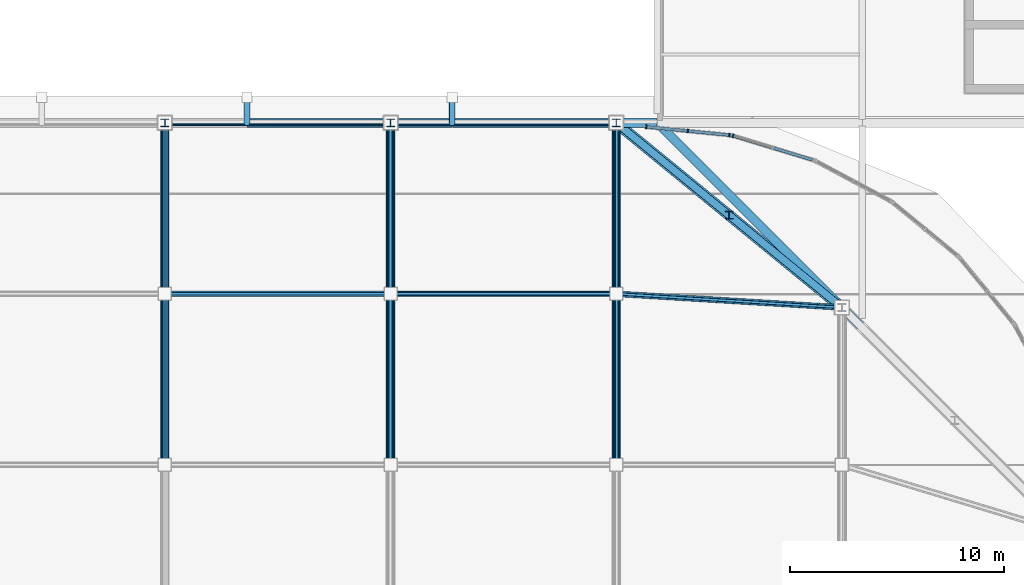
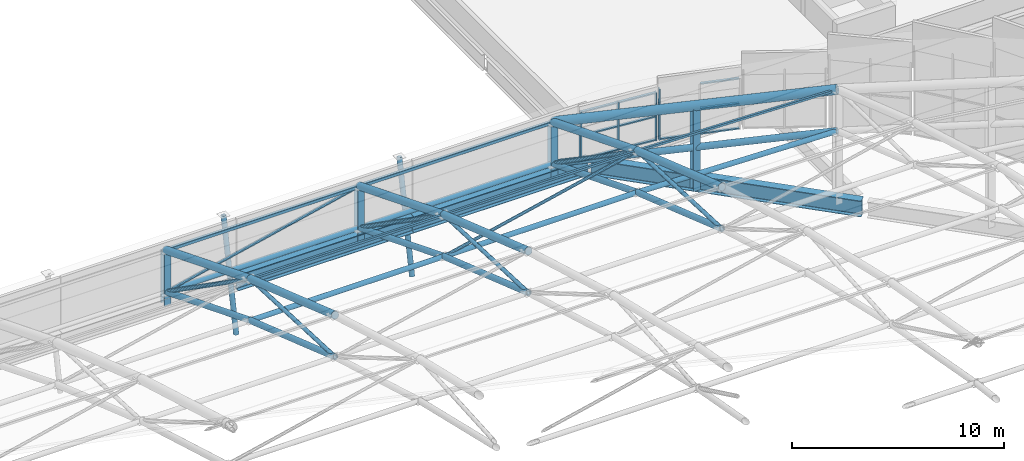
# One storey, part 28 of 42: 52 members, 3 beams, 2 elements without a shape of their own.
"""IFC4 building model written with IfcOpenShell, lengths in metres."""

from ifc_helpers import new_model, si_unit, direction, frame, origin, origin_2d, place, context, subcontext, project, spatial, rectangle, hollow_rectangle, hollow_circle, i_section, extrude, material, layer, layer_set, material_profile, profile_set, type_object, element, aggregate, save


model = new_model("IFC4")

# Units and contexts
model_context = context("Model", 3, precision=1e-05, world=origin(), true_north=direction((0.0, 1.0)))
body_context = subcontext(model_context, "Body", "Model", "MODEL_VIEW")
ifc_project = project(units=[si_unit("LENGTHUNIT", "METRE"), si_unit("AREAUNIT", "SQUARE_METRE"), si_unit("VOLUMEUNIT", "CUBIC_METRE"), si_unit("PLANEANGLEUNIT", "RADIAN"), si_unit("MASSUNIT", "GRAM", prefix="KILO")], contexts=[model_context])

# Site, building, storey
site_placement = place(None, origin())
site = spatial("IfcSite", under=ifc_project, at=site_placement, CompositionType="ELEMENT")
building_placement = place(site_placement, origin())
building = spatial("IfcBuilding", under=site, at=building_placement, Name="Caelomonte Colonnade Arena", CompositionType="ELEMENT")
storey_placement = place(building_placement, frame((0.0, 0.0, 28.199951171875)))
storey = spatial("IfcBuildingStorey", under=building, at=storey_placement, Name="RF", CompositionType="ELEMENT", Elevation=28.199951171875)

# Curtain wall, member
ifc_material_1 = material(Name="Bronze anodised aluminium and low-E glazing", Category="aluminium")
ifc_layer_1 = layer(ifc_material_1, 0.179931640625)
ifc_layer_set_1 = layer_set([ifc_layer_1], Name="Bronze anodised aluminium and low-E glazing")
curtain_wall_type_1 = type_object("IfcCurtainWallType", Name="ENV-CW-CW-TYMPC-02-29", PredefinedType="USERDEFINED", material=ifc_layer_set_1)
curtain_wall_1_placement = place(storey_placement, origin())
curtain_wall_1 = element("IfcCurtainWall", 1, at=curtain_wall_1_placement, inside=storey, type_object=curtain_wall_type_1, Name="Barrel arch rounded corner clerestory curtain wall 15", ObjectType="UNITIZED CURTAIN WALL", PredefinedType="USERDEFINED")
ifc_material_2 = material(Name="Bronze anodised aluminium AA6063-T6", Category="aluminium")
ifc_material_profile_1 = material_profile(ifc_material_2, rectangle(XDim=0.070068359375, YDim=0.179931640625, at=origin_2d()), Name="CWM-70X180")
ifc_profile_set_1 = profile_set([ifc_material_profile_1], Name="Bronze anodised aluminium AA6063-T6")
member_type_1 = type_object("IfcMemberType", Name="ENV-CW-MULL1", PredefinedType="MULLION", material=ifc_profile_set_1)
member_1_placement = place(storey_placement, frame((147.543212890625, 114.59521484375, -0.14990234375), z_axis=(0.0, 0.0, 1.0), x_axis=(-0.956945999811, 0.290266004632, 0.0)))
member_1 = element("IfcMember", 2, at=member_1_placement, type_object=member_type_1, Name="CW-TYMPC-02-29 mullion 3", PredefinedType="MULLION", context=body_context, shape_type="SweptSolid", body=[
    extrude(rectangle(XDim=0.070068359375, YDim=0.179931640625, at=origin_2d()), origin(), (0.0, 0.0, 1.0), 2.945556640625),
])

# Curtain wall, members
ifc_layer_2 = layer(ifc_material_1, 0.179931640625)
ifc_layer_set_2 = layer_set([ifc_layer_2], Name="Bronze anodised aluminium and low-E glazing")
curtain_wall_type_2 = type_object("IfcCurtainWallType", Name="ENV-CW-CW-TYMPC-01-28", PredefinedType="USERDEFINED", material=ifc_layer_set_2)
curtain_wall_2_placement = place(storey_placement, origin())
curtain_wall_2 = element("IfcCurtainWall", 3, at=curtain_wall_2_placement, inside=storey, type_object=curtain_wall_type_2, Name="Barrel arch rounded corner clerestory curtain wall 16", ObjectType="UNITIZED CURTAIN WALL", PredefinedType="USERDEFINED")
member_2_placement = place(storey_placement, frame((147.377197265625, 114.628173828125, -0.14990234375), z_axis=(0.0, 0.0, 1.0), x_axis=(-0.995183320356, 0.098031417843, 0.0)))
member_2 = element("IfcMember", 4, at=member_2_placement, type_object=member_type_1, Name="CW-TYMPC-01-28 mullion 1", PredefinedType="MULLION", context=body_context, shape_type="SweptSolid", body=[
    extrude(rectangle(XDim=0.070068359375, YDim=0.179931640625, at=origin_2d()), origin(), (0.0, 0.0, 1.0), 2.7763671875),
])
member_3_placement = place(storey_placement, frame((145.430908203125, 114.820068359375, -0.14990234375), z_axis=(0.0, 0.0, 1.0), x_axis=(-0.995183320356, 0.098031417843, 0.0)))
member_3 = element("IfcMember", 5, at=member_3_placement, type_object=member_type_1, Name="CW-TYMPC-01-28 mullion 2", PredefinedType="MULLION", context=body_context, shape_type="SweptSolid", body=[
    extrude(rectangle(XDim=0.070068359375, YDim=0.179931640625, at=origin_2d()), origin(), (0.0, 0.0, 1.0), 2.7763671875),
])
member_4_placement = place(storey_placement, frame((143.484619140625, 115.01171875, -0.14990234375), z_axis=(0.0, 0.0, 1.0), x_axis=(-0.995183320356, 0.098031417843, 0.0)))
member_4 = element("IfcMember", 6, at=member_4_placement, type_object=member_type_1, Name="CW-TYMPC-01-28 mullion 3", PredefinedType="MULLION", context=body_context, shape_type="SweptSolid", body=[
    extrude(rectangle(XDim=0.070068359375, YDim=0.179931640625, at=origin_2d()), origin(), (0.0, 0.0, 1.0), 2.7763671875),
])

# Member
ifc_material_profile_2 = material_profile(ifc_material_2, rectangle(XDim=0.070068359375, YDim=0.139892578125, at=origin_2d()), Name="CWT-70X140")
ifc_profile_set_2 = profile_set([ifc_material_profile_2], Name="Bronze anodised aluminium AA6063-T6")
member_type_2 = type_object("IfcMemberType", Name="ENV-CW-TRAN1", PredefinedType="USERDEFINED", material=ifc_profile_set_2)
member_5_placement = place(storey_placement, frame((151.252685546875, 113.469970703125, -0.114990234375), z_axis=(-0.956941606706, 0.290280487381, 0.0), x_axis=(0.0, 0.0, 1.0)))
member_5 = element("IfcMember", 7, at=member_5_placement, type_object=member_type_2, Name="CW-TYMPC-02-29 transom 1.1", ObjectType="TRANSOM", PredefinedType="USERDEFINED", context=body_context, shape_type="SweptSolid", body=[
    extrude(rectangle(XDim=0.070068359375, YDim=0.139892578125, at=origin_2d()), origin(), (0.0, 0.0, 1.0), 1.8857421875),
])

member_6_placement = place(storey_placement, frame((151.252685546875, 113.469970703125, 1.32275390625), z_axis=(-0.956941606706, 0.290280487381, 0.0), x_axis=(0.0, 0.0, 1.0)))
member_6 = element("IfcMember", 8, at=member_6_placement, type_object=member_type_2, Name="CW-TYMPC-02-29 transom 1.2", ObjectType="TRANSOM", PredefinedType="USERDEFINED", context=body_context, shape_type="SweptSolid", body=[
    extrude(rectangle(XDim=0.070068359375, YDim=0.139892578125, at=origin_2d()), origin(), (0.0, 0.0, 1.0), 1.8857421875),
])

member_7_placement = place(storey_placement, frame((151.252685546875, 113.469970703125, 2.760498046875), z_axis=(-0.956941606706, 0.290280487381, 0.0), x_axis=(0.0, 0.0, 1.0)))
member_7 = element("IfcMember", 9, at=member_7_placement, type_object=member_type_2, Name="CW-TYMPC-02-29 transom 1.3", ObjectType="TRANSOM", PredefinedType="USERDEFINED", context=body_context, shape_type="SweptSolid", body=[
    extrude(rectangle(XDim=0.070068359375, YDim=0.139892578125, at=origin_2d()), origin(), (0.0, 0.0, 1.0), 1.8857421875),
])

member_8_placement = place(storey_placement, frame((149.381103515625, 114.03759765625, -0.114990234375), z_axis=(-0.956941606706, 0.290280487381, 0.0), x_axis=(0.0, 0.0, 1.0)))
member_8 = element("IfcMember", 10, at=member_8_placement, type_object=member_type_2, Name="CW-TYMPC-02-29 transom 2.1", ObjectType="TRANSOM", PredefinedType="USERDEFINED", context=body_context, shape_type="SweptSolid", body=[
    extrude(rectangle(XDim=0.070068359375, YDim=0.139892578125, at=origin_2d()), origin(), (0.0, 0.0, 1.0), 1.8857421875),
])

aggregate(curtain_wall_1, [member_1, member_5, member_6, member_7, member_8])

member_9_placement = place(storey_placement, frame((147.34228515625, 114.631591796875, -0.114990234375), z_axis=(-0.995184788891, 0.098016508612, 0.0), x_axis=(0.0, 0.0, 1.0)))
member_9 = element("IfcMember", 11, at=member_9_placement, type_object=member_type_2, Name="CW-TYMPC-01-28 transom 1.1", ObjectType="TRANSOM", PredefinedType="USERDEFINED", context=body_context, shape_type="SweptSolid", body=[
    extrude(rectangle(XDim=0.070068359375, YDim=0.139892578125, at=origin_2d()), origin(), (0.0, 0.0, 1.0), 1.885498046875),
])

member_10_placement = place(storey_placement, frame((147.34228515625, 114.631591796875, 1.23828125), z_axis=(-0.995184788891, 0.098016508612, 0.0), x_axis=(0.0, 0.0, 1.0)))
member_10 = element("IfcMember", 12, at=member_10_placement, type_object=member_type_2, Name="CW-TYMPC-01-28 transom 1.2", ObjectType="TRANSOM", PredefinedType="USERDEFINED", context=body_context, shape_type="SweptSolid", body=[
    extrude(rectangle(XDim=0.070068359375, YDim=0.139892578125, at=origin_2d()), origin(), (0.0, 0.0, 1.0), 1.885498046875),
])

member_11_placement = place(storey_placement, frame((147.34228515625, 114.631591796875, 2.591552734375), z_axis=(-0.995184788891, 0.098016508612, 0.0), x_axis=(0.0, 0.0, 1.0)))
member_11 = element("IfcMember", 13, at=member_11_placement, type_object=member_type_2, Name="CW-TYMPC-01-28 transom 1.3", ObjectType="TRANSOM", PredefinedType="USERDEFINED", context=body_context, shape_type="SweptSolid", body=[
    extrude(rectangle(XDim=0.070068359375, YDim=0.139892578125, at=origin_2d()), origin(), (0.0, 0.0, 1.0), 1.885498046875),
])

member_12_placement = place(storey_placement, frame((145.39599609375, 114.823486328125, -0.114990234375), z_axis=(-0.995184788891, 0.098016508612, 0.0), x_axis=(0.0, 0.0, 1.0)))
member_12 = element("IfcMember", 14, at=member_12_placement, type_object=member_type_2, Name="CW-TYMPC-01-28 transom 2.1", ObjectType="TRANSOM", PredefinedType="USERDEFINED", context=body_context, shape_type="SweptSolid", body=[
    extrude(rectangle(XDim=0.070068359375, YDim=0.139892578125, at=origin_2d()), origin(), (0.0, 0.0, 1.0), 1.885498046875),
])

member_13_placement = place(storey_placement, frame((145.39599609375, 114.823486328125, 1.23828125), z_axis=(-0.995184788891, 0.098016508612, 0.0), x_axis=(0.0, 0.0, 1.0)))
member_13 = element("IfcMember", 15, at=member_13_placement, type_object=member_type_2, Name="CW-TYMPC-01-28 transom 2.2", ObjectType="TRANSOM", PredefinedType="USERDEFINED", context=body_context, shape_type="SweptSolid", body=[
    extrude(rectangle(XDim=0.070068359375, YDim=0.139892578125, at=origin_2d()), origin(), (0.0, 0.0, 1.0), 1.885498046875),
])

member_14_placement = place(storey_placement, frame((145.39599609375, 114.823486328125, 2.591552734375), z_axis=(-0.995184788891, 0.098016508612, 0.0), x_axis=(0.0, 0.0, 1.0)))
member_14 = element("IfcMember", 16, at=member_14_placement, type_object=member_type_2, Name="CW-TYMPC-01-28 transom 2.3", ObjectType="TRANSOM", PredefinedType="USERDEFINED", context=body_context, shape_type="SweptSolid", body=[
    extrude(rectangle(XDim=0.070068359375, YDim=0.139892578125, at=origin_2d()), origin(), (0.0, 0.0, 1.0), 1.885498046875),
])

aggregate(curtain_wall_2, [member_2, member_3, member_4, member_9, member_10, member_11, member_12, member_13, member_14])

# Beams
ifc_material_3 = material(Name="Wide-flange steel ASTM A992 Grade 50", Category="steel")
ifc_material_profile_3 = material_profile(ifc_material_3, i_section(OverallWidth=0.418212890625, OverallDepth=0.927001953125, WebThickness=0.019287109375, FlangeThickness=0.031982421875, FilletRadius=0.024169921875, at=origin_2d()), Name="W36X231")
ifc_profile_set_3 = profile_set([ifc_material_profile_3], Name="Wide-flange steel ASTM A992 Grade 50")
beam_type = type_object("IfcBeamType", Name="STR-BM-EAVES1", PredefinedType="SPANDREL", material=ifc_profile_set_3)
for number, where, z_axis, x_axis, name in (
    (17, (124.808349609375, 115.199951171875, -0.743408203125), (1.0, 0.0, 0.0), (0.0, 1.0, 0.0), "RF girder BMX-RF-1248-1152"),
    (18, (134.408203125, 115.199951171875, -0.743408203125), (1.0, 0.0, 0.0), (0.0, 1.0, 0.0), "RF girder BMX-RF-1344-1152"),
):
    element("IfcBeam", number, at=place(storey_placement, frame(where, z_axis=z_axis, x_axis=x_axis)), inside=storey, type_object=beam_type, Name=name, PredefinedType="SPANDREL", context=body_context, shape_type="SweptSolid", body=[
        extrude(i_section(OverallWidth=0.418212890625, OverallDepth=0.927001953125, WebThickness=0.019287109375, FlangeThickness=0.031982421875, FilletRadius=0.024169921875, at=origin_2d()), origin(), (0.0, 0.0, 1.0), 9.58349609375),
    ])
beam_placement = place(storey_placement, frame((153.497802734375, 105.7021484375, -0.743408203125), z_axis=(-0.707106781187, 0.707106781187, 0.0), x_axis=(-0.707106781187, -0.707106781187, 0.0)))
element("IfcBeam", 19, at=beam_placement, inside=storey, type_object=beam_type, Name="RF drum corner ring girder 6", PredefinedType="SPANDREL", context=body_context, shape_type="SweptSolid", body=[
    extrude(i_section(OverallWidth=0.418212890625, OverallDepth=0.927001953125, WebThickness=0.019287109375, FlangeThickness=0.031982421875, FilletRadius=0.024169921875, at=origin_2d()), origin(), (0.0, 0.0, 1.0), 13.28759765625),
])

# Members
ifc_material_profile_4 = material_profile(ifc_material_3, i_section(OverallWidth=0.368896484375, OverallDepth=0.356201171875, WebThickness=0.01123046875, FlangeThickness=0.01806640625, FilletRadius=0.01513671875, at=origin_2d()), Name="W14X90")
ifc_profile_set_4 = profile_set([ifc_material_profile_4], Name="Wide-flange steel ASTM A992 Grade 50")
member_type_3 = type_object("IfcMemberType", Name="STR-CAT-STR", PredefinedType="STRUT", material=ifc_profile_set_4)
for number, where, z_axis, x_axis, name in (
    (20, (120.9599609375, 115.199951171875, -0.699951171875), (0.0, 0.0, 1.0), (1.0, 0.0, 0.0), "Roof truss eaves bearing post 6-12"),
    (21, (131.52001953125, 115.199951171875, -0.699951171875), (0.0, 0.0, 1.0), (1.0, 0.0, 0.0), "Roof truss eaves bearing post 7-12"),
    (22, (142.080078125, 115.199951171875, -0.699951171875), (0.0, 0.0, 1.0), (1.0, 0.0, 0.0), "Roof truss eaves bearing post 8-12"),
):
    element("IfcMember", number, at=place(storey_placement, frame(where, z_axis=z_axis, x_axis=x_axis)), inside=storey, type_object=member_type_3, Name=name, PredefinedType="STRUT", context=body_context, shape_type="SweptSolid", body=[
        extrude(i_section(OverallWidth=0.368896484375, OverallDepth=0.356201171875, WebThickness=0.01123046875, FlangeThickness=0.01806640625, FilletRadius=0.01513671875, at=origin_2d()), origin(), (0.0, 0.0, 1.0), 3.10009765625),
    ])
member_15_placement = place(storey_placement, frame((147.360107421875, 110.8798828125, -0.699951171875), z_axis=(0.0, 0.0, 1.0), x_axis=(1.0, 0.0, 0.0)))
element("IfcMember", 23, at=member_15_placement, inside=storey, type_object=member_type_3, Name="Rounded corner roof Vierendeel post NE-2", PredefinedType="STRUT", context=body_context, shape_type="SweptSolid", body=[
    extrude(i_section(OverallWidth=0.368896484375, OverallDepth=0.356201171875, WebThickness=0.01123046875, FlangeThickness=0.01806640625, FilletRadius=0.01513671875, at=origin_2d()), origin(), (0.0, 0.0, 1.0), 4.810546875),
])
ifc_material_4 = material(Name="Steel ASTM A500 Grade C", Category="steel")
ifc_material_profile_5 = material_profile(ifc_material_4, hollow_circle(Radius=0.177734375, WallThickness=0.0126953125, at=origin_2d()), Name="CHS355.6X12.7")
ifc_profile_set_5 = profile_set([ifc_material_profile_5], Name="Steel ASTM A500 Grade C")
member_type_4 = type_object("IfcMemberType", Name="STR-SF-BC1", PredefinedType="CHORD", material=ifc_profile_set_5)
member_16_placement = place(storey_placement, frame((152.638427734375, 106.561279296875, 3.420654296875), z_axis=(-0.750717484675, 0.614223396552, -0.243213645448), x_axis=(-0.633237790257, -0.773957299203, 0.0)))
element("IfcMember", 24, at=member_16_placement, inside=storey, type_object=member_type_4, Name="Rounded corner roof bottom chord NE-2", PredefinedType="CHORD", context=body_context, shape_type="SweptSolid", body=[
    extrude(hollow_circle(Radius=0.177734375, WallThickness=0.0126953125, at=origin_2d()), origin(), (0.0, 0.0, 1.0), 14.0625),
])
ifc_material_profile_6 = material_profile(ifc_material_4, hollow_circle(Radius=0.161865234375, WallThickness=0.010009765625, at=origin_2d()), Name="CHS323.9X10.0")
ifc_profile_set_6 = profile_set([ifc_material_profile_6], Name="Steel ASTM A500 Grade C")
member_type_5 = type_object("IfcMemberType", Name="STR-SF-BC2", PredefinedType="CHORD", material=ifc_profile_set_6)
member_17_placement = place(storey_placement, frame((120.9599609375, 99.201904296875, 5.935302734375), z_axis=(0.0, 0.945655527912, -0.325170143971), x_axis=(-1.0, 0.0, 0.0)))
element("IfcMember", 25, at=member_17_placement, inside=storey, type_object=member_type_5, Name="Arched roof truss bottom chord 6-10", PredefinedType="CHORD", context=body_context, shape_type="SweptSolid", body=[
    extrude(hollow_circle(Radius=0.161865234375, WallThickness=0.010009765625, at=origin_2d()), origin(), (0.0, 0.0, 1.0), 8.45556640625),
])
member_18_placement = place(storey_placement, frame((120.9599609375, 107.201904296875, 3.184326171875), z_axis=(0.0, 0.929070225575, -0.36990338732), x_axis=(-1.0, 0.0, 0.0)))
element("IfcMember", 26, at=member_18_placement, inside=storey, type_object=member_type_5, Name="Arched roof truss bottom chord 6-11", PredefinedType="CHORD", context=body_context, shape_type="SweptSolid", body=[
    extrude(hollow_circle(Radius=0.161865234375, WallThickness=0.010009765625, at=origin_2d()), origin(), (0.0, 0.0, 1.0), 8.6064453125),
])
member_19_placement = place(storey_placement, frame((131.52001953125, 99.201904296875, 5.935302734375), z_axis=(0.0, 0.945655527912, -0.325170143971), x_axis=(-1.0, 0.0, 0.0)))
element("IfcMember", 27, at=member_19_placement, inside=storey, type_object=member_type_5, Name="Arched roof truss bottom chord 7-10", PredefinedType="CHORD", context=body_context, shape_type="SweptSolid", body=[
    extrude(hollow_circle(Radius=0.161865234375, WallThickness=0.010009765625, at=origin_2d()), origin(), (0.0, 0.0, 1.0), 8.45556640625),
])
member_20_placement = place(storey_placement, frame((131.52001953125, 107.201904296875, 3.184326171875), z_axis=(0.0, 0.929070225575, -0.36990338732), x_axis=(-1.0, 0.0, 0.0)))
element("IfcMember", 28, at=member_20_placement, inside=storey, type_object=member_type_5, Name="Arched roof truss bottom chord 7-11", PredefinedType="CHORD", context=body_context, shape_type="SweptSolid", body=[
    extrude(hollow_circle(Radius=0.161865234375, WallThickness=0.010009765625, at=origin_2d()), origin(), (0.0, 0.0, 1.0), 8.6064453125),
])
member_21_placement = place(storey_placement, frame((142.080078125, 99.201904296875, 5.935302734375), z_axis=(0.0, 0.945655527912, -0.325170143971), x_axis=(-1.0, 0.0, 0.0)))
element("IfcMember", 29, at=member_21_placement, inside=storey, type_object=member_type_5, Name="Arched roof truss bottom chord 8-10", PredefinedType="CHORD", context=body_context, shape_type="SweptSolid", body=[
    extrude(hollow_circle(Radius=0.161865234375, WallThickness=0.010009765625, at=origin_2d()), origin(), (0.0, 0.0, 1.0), 8.45556640625),
])
member_22_placement = place(storey_placement, frame((142.080078125, 107.201904296875, 3.184326171875), z_axis=(0.0, 0.929070225575, -0.36990338732), x_axis=(-1.0, 0.0, 0.0)))
element("IfcMember", 30, at=member_22_placement, inside=storey, type_object=member_type_5, Name="Arched roof truss bottom chord 8-11", PredefinedType="CHORD", context=body_context, shape_type="SweptSolid", body=[
    extrude(hollow_circle(Radius=0.161865234375, WallThickness=0.010009765625, at=origin_2d()), origin(), (0.0, 0.0, 1.0), 8.6064453125),
])
ifc_material_profile_7 = material_profile(ifc_material_4, hollow_rectangle(XDim=0.177734375, YDim=0.177734375, WallThickness=0.008056640625, InnerFilletRadius=0.008056640625, OuterFilletRadius=0.01611328125, at=origin_2d()), Name="HSS178X178X8.0")
ifc_profile_set_7 = profile_set([ifc_material_profile_7], Name="Steel ASTM A500 Grade C")
member_type_6 = type_object("IfcMemberType", Name="STR-SF-PUR1", PredefinedType="PURLIN", material=ifc_profile_set_7)
member_23_placement = place(storey_placement, frame((120.9619140625, 115.199951171875, 2.400146484375), z_axis=(1.0, 0.0, 0.0), x_axis=(0.0, 1.0, 0.0)))
element("IfcMember", 31, at=member_23_placement, inside=storey, type_object=member_type_6, Name="Arched roof purlin 6-12", PredefinedType="PURLIN", context=body_context, shape_type="SweptSolid", body=[
    extrude(hollow_rectangle(XDim=0.177734375, YDim=0.177734375, WallThickness=0.008056640625, InnerFilletRadius=0.008056640625, OuterFilletRadius=0.01611328125, at=origin_2d()), origin(), (0.0, 0.0, 1.0), 10.55615234375),
])
member_24_placement = place(storey_placement, frame((131.52197265625, 115.199951171875, 2.400146484375), z_axis=(1.0, 0.0, 0.0), x_axis=(0.0, 1.0, 0.0)))
element("IfcMember", 32, at=member_24_placement, inside=storey, type_object=member_type_6, Name="Arched roof purlin 7-12", PredefinedType="PURLIN", context=body_context, shape_type="SweptSolid", body=[
    extrude(hollow_rectangle(XDim=0.177734375, YDim=0.177734375, WallThickness=0.008056640625, InnerFilletRadius=0.008056640625, OuterFilletRadius=0.01611328125, at=origin_2d()), origin(), (0.0, 0.0, 1.0), 10.555908203125),
])
ifc_material_profile_8 = material_profile(ifc_material_4, hollow_rectangle(XDim=0.126953125, YDim=0.126953125, WallThickness=0.00634765625, InnerFilletRadius=0.00634765625, OuterFilletRadius=0.0126953125, at=origin_2d()), Name="HSS127X127X6.4")
ifc_profile_set_8 = profile_set([ifc_material_profile_8], Name="Steel ASTM A500 Grade C")
member_type_7 = type_object("IfcMemberType", Name="STR-SF-PUR3", PredefinedType="PURLIN", material=ifc_profile_set_8)
member_25_placement = place(storey_placement, frame((120.9619140625, 107.199951171875, 5.5849609375), z_axis=(1.0, 0.0, 0.0), x_axis=(0.0, 1.0, 0.0)))
element("IfcMember", 33, at=member_25_placement, inside=storey, type_object=member_type_7, Name="Arched roof purlin 6-11", PredefinedType="PURLIN", context=body_context, shape_type="SweptSolid", body=[
    extrude(hollow_rectangle(XDim=0.126953125, YDim=0.126953125, WallThickness=0.00634765625, InnerFilletRadius=0.00634765625, OuterFilletRadius=0.0126953125, at=origin_2d()), origin(), (0.0, 0.0, 1.0), 10.55615234375),
])
member_26_placement = place(storey_placement, frame((131.52197265625, 107.199951171875, 5.5849609375), z_axis=(1.0, 0.0, 0.0), x_axis=(0.0, 1.0, 0.0)))
element("IfcMember", 34, at=member_26_placement, inside=storey, type_object=member_type_7, Name="Arched roof purlin 7-11", PredefinedType="PURLIN", context=body_context, shape_type="SweptSolid", body=[
    extrude(hollow_rectangle(XDim=0.126953125, YDim=0.126953125, WallThickness=0.00634765625, InnerFilletRadius=0.00634765625, OuterFilletRadius=0.0126953125, at=origin_2d()), origin(), (0.0, 0.0, 1.0), 10.555908203125),
])
member_27_placement = place(storey_placement, frame((142.08203125, 107.199951171875, 5.5849609375), z_axis=(0.997919060168, -0.060493231647, 0.022318563526), x_axis=(0.06050830367, 0.998167693921, 0.0)))
element("IfcMember", 35, at=member_27_placement, inside=storey, type_object=member_type_7, Name="Arched roof purlin 8-11", PredefinedType="PURLIN", context=body_context, shape_type="SweptSolid", body=[
    extrude(hollow_rectangle(XDim=0.126953125, YDim=0.126953125, WallThickness=0.00634765625, InnerFilletRadius=0.00634765625, OuterFilletRadius=0.0126953125, at=origin_2d()), origin(), (0.0, 0.0, 1.0), 10.577880859375),
])
ifc_material_profile_9 = material_profile(ifc_material_4, hollow_circle(Radius=0.25390625, WallThickness=0.015869140625, at=origin_2d()), Name="CHS508X15.9")
ifc_profile_set_9 = profile_set([ifc_material_profile_9], Name="Steel ASTM A500 Grade C")
member_type_8 = type_object("IfcMemberType", Name="STR-SF-TC1", PredefinedType="CHORD", material=ifc_profile_set_9)
member_28_placement = place(storey_placement, frame((152.638427734375, 106.561279296875, 5.820556640625), z_axis=(-0.750720654479, 0.614225990029, -0.243197311069), x_axis=(-0.633237790257, -0.773957299203, 0.0)))
element("IfcMember", 36, at=member_28_placement, inside=storey, type_object=member_type_8, Name="Rounded corner roof top chord NE-2", PredefinedType="CHORD", context=body_context, shape_type="SweptSolid", body=[
    extrude(hollow_circle(Radius=0.25390625, WallThickness=0.015869140625, at=origin_2d()), origin(), (0.0, 0.0, 1.0), 14.062255859375),
])
ifc_material_profile_10 = material_profile(ifc_material_4, hollow_circle(Radius=0.203125, WallThickness=0.0126953125, at=origin_2d()), Name="CHS406.4X12.7")
ifc_profile_set_10 = profile_set([ifc_material_profile_10], Name="Steel ASTM A500 Grade C")
member_type_9 = type_object("IfcMemberType", Name="STR-SF-TC2", PredefinedType="CHORD", material=ifc_profile_set_10)
member_29_placement = place(storey_placement, frame((120.9599609375, 99.201904296875, 8.33544921875), z_axis=(0.0, 0.945646649159, -0.325195963895), x_axis=(-1.0, 0.0, 0.0)))
element("IfcMember", 37, at=member_29_placement, inside=storey, type_object=member_type_9, Name="Arched roof truss top chord 6-10", PredefinedType="CHORD", context=body_context, shape_type="SweptSolid", body=[
    extrude(hollow_circle(Radius=0.203125, WallThickness=0.0126953125, at=origin_2d()), origin(), (0.0, 0.0, 1.0), 8.455810546875),
])
member_30_placement = place(storey_placement, frame((120.9599609375, 107.201904296875, 5.584228515625), z_axis=(0.0, 0.929070225575, -0.36990338732), x_axis=(-1.0, 0.0, 0.0)))
element("IfcMember", 38, at=member_30_placement, inside=storey, type_object=member_type_9, Name="Arched roof truss top chord 6-11", PredefinedType="CHORD", context=body_context, shape_type="SweptSolid", body=[
    extrude(hollow_circle(Radius=0.203125, WallThickness=0.0126953125, at=origin_2d()), origin(), (0.0, 0.0, 1.0), 8.6064453125),
])
member_31_placement = place(storey_placement, frame((131.52001953125, 99.201904296875, 8.33544921875), z_axis=(0.0, 0.945646649159, -0.325195963895), x_axis=(-1.0, 0.0, 0.0)))
element("IfcMember", 39, at=member_31_placement, inside=storey, type_object=member_type_9, Name="Arched roof truss top chord 7-10", PredefinedType="CHORD", context=body_context, shape_type="SweptSolid", body=[
    extrude(hollow_circle(Radius=0.203125, WallThickness=0.0126953125, at=origin_2d()), origin(), (0.0, 0.0, 1.0), 8.455810546875),
])
member_32_placement = place(storey_placement, frame((131.52001953125, 107.201904296875, 5.584228515625), z_axis=(0.0, 0.929070225575, -0.36990338732), x_axis=(-1.0, 0.0, 0.0)))
element("IfcMember", 40, at=member_32_placement, inside=storey, type_object=member_type_9, Name="Arched roof truss top chord 7-11", PredefinedType="CHORD", context=body_context, shape_type="SweptSolid", body=[
    extrude(hollow_circle(Radius=0.203125, WallThickness=0.0126953125, at=origin_2d()), origin(), (0.0, 0.0, 1.0), 8.6064453125),
])
member_33_placement = place(storey_placement, frame((142.080078125, 99.201904296875, 8.33544921875), z_axis=(0.0, 0.945646649159, -0.325195963895), x_axis=(-1.0, 0.0, 0.0)))
element("IfcMember", 41, at=member_33_placement, inside=storey, type_object=member_type_9, Name="Arched roof truss top chord 8-10", PredefinedType="CHORD", context=body_context, shape_type="SweptSolid", body=[
    extrude(hollow_circle(Radius=0.203125, WallThickness=0.0126953125, at=origin_2d()), origin(), (0.0, 0.0, 1.0), 8.455810546875),
])
member_34_placement = place(storey_placement, frame((142.080078125, 107.201904296875, 5.584228515625), z_axis=(0.0, 0.929070225575, -0.36990338732), x_axis=(-1.0, 0.0, 0.0)))
element("IfcMember", 42, at=member_34_placement, inside=storey, type_object=member_type_9, Name="Arched roof truss top chord 8-11", PredefinedType="CHORD", context=body_context, shape_type="SweptSolid", body=[
    extrude(hollow_circle(Radius=0.203125, WallThickness=0.0126953125, at=origin_2d()), origin(), (0.0, 0.0, 1.0), 8.6064453125),
])
ifc_material_profile_11 = material_profile(ifc_material_4, hollow_circle(Radius=0.136474609375, WallThickness=0.00927734375, at=origin_2d()), Name="CHS273.0X9.3")
ifc_profile_set_11 = profile_set([ifc_material_profile_11], Name="Steel ASTM A500 Grade C")
member_type_10 = type_object("IfcMemberType", Name="STR-SF-TIE", PredefinedType="STRUT", material=ifc_profile_set_11)
for number, where, z_axis, x_axis, name in (
    (43, (120.9619140625, 107.199951171875, 3.18505859375), (1.0, 0.0, 0.0), (0.0, 1.0, 0.0), "Space frame roof tie strut 6-11"),
    (44, (120.9619140625, 115.199951171875, 0.0), (1.0, 0.0, 0.0), (0.0, 1.0, 0.0), "Space frame roof tie strut 6-12"),
):
    element("IfcMember", number, at=place(storey_placement, frame(where, z_axis=z_axis, x_axis=x_axis)), inside=storey, type_object=member_type_10, Name=name, PredefinedType="STRUT", context=body_context, shape_type="SweptSolid", body=[
        extrude(hollow_circle(Radius=0.136474609375, WallThickness=0.00927734375, at=origin_2d()), origin(), (0.0, 0.0, 1.0), 10.55615234375),
    ])
for number, where, z_axis, x_axis, name in (
    (45, (131.52197265625, 107.199951171875, 3.18505859375), (1.0, 0.0, 0.0), (0.0, 1.0, 0.0), "Space frame roof tie strut 7-11"),
    (46, (131.52197265625, 115.199951171875, 0.0), (1.0, 0.0, 0.0), (0.0, 1.0, 0.0), "Space frame roof tie strut 7-12"),
):
    element("IfcMember", number, at=place(storey_placement, frame(where, z_axis=z_axis, x_axis=x_axis)), inside=storey, type_object=member_type_10, Name=name, PredefinedType="STRUT", context=body_context, shape_type="SweptSolid", body=[
        extrude(hollow_circle(Radius=0.136474609375, WallThickness=0.00927734375, at=origin_2d()), origin(), (0.0, 0.0, 1.0), 10.555908203125),
    ])
member_35_placement = place(storey_placement, frame((142.08203125, 107.199951171875, 3.18505859375), z_axis=(0.997919060168, -0.060493231647, 0.022318563526), x_axis=(0.06050830367, 0.998167693921, 0.0)))
element("IfcMember", 47, at=member_35_placement, inside=storey, type_object=member_type_10, Name="Space frame roof tie strut 8-11", PredefinedType="STRUT", context=body_context, shape_type="SweptSolid", body=[
    extrude(hollow_circle(Radius=0.136474609375, WallThickness=0.00927734375, at=origin_2d()), origin(), (0.0, 0.0, 1.0), 10.577880859375),
])
for number, where, z_axis, x_axis, name in (
    (48, (124.800048828125, 115.200439453125, -3.7978515625), (0.0, 0.19151035942, 0.981490592026), (-1.0, 0.0, 0.0), "Roof eaves overhang inclined strut 20"),
    (49, (134.39990234375, 115.200439453125, -3.7978515625), (0.0, 0.19151035942, 0.981490592026), (-1.0, 0.0, 0.0), "Roof eaves overhang inclined strut 22"),
):
    element("IfcMember", number, at=place(storey_placement, frame(where, z_axis=z_axis, x_axis=x_axis)), inside=storey, type_object=member_type_10, Name=name, PredefinedType="STRUT", context=body_context, shape_type="SweptSolid", body=[
        extrude(hollow_circle(Radius=0.136474609375, WallThickness=0.00927734375, at=origin_2d()), origin(), (0.0, 0.0, 1.0), 6.261962890625),
    ])
ifc_material_profile_12 = material_profile(ifc_material_4, hollow_circle(Radius=0.109619140625, WallThickness=0.00830078125, at=origin_2d()), Name="CHS219.1X8.2")
ifc_profile_set_12 = profile_set([ifc_material_profile_12], Name="Steel ASTM A500 Grade C")
member_type_11 = type_object("IfcMemberType", Name="STR-SF-WEB1", PredefinedType="BRACE", material=ifc_profile_set_12)
member_36_placement = place(storey_placement, frame((120.9599609375, 99.201904296875, 5.93603515625), z_axis=(0.0, 0.999038871579, -0.043833013509), x_axis=(-1.0, 0.0, 0.0)))
element("IfcMember", 50, at=member_36_placement, inside=storey, type_object=member_type_11, Name="Space frame roof truss web diagonal 6-10", PredefinedType="BRACE", context=body_context, shape_type="SweptSolid", body=[
    extrude(hollow_circle(Radius=0.109619140625, WallThickness=0.00830078125, at=origin_2d()), origin(), (0.0, 0.0, 1.0), 8.00390625),
])
member_37_placement = place(storey_placement, frame((120.9599609375, 107.20166015625, 5.583984375), z_axis=(0.0, 0.819954536619, -0.572428648722), x_axis=(-1.0, 0.0, 0.0)))
element("IfcMember", 51, at=member_37_placement, inside=storey, type_object=member_type_11, Name="Space frame roof truss web diagonal 6-11", PredefinedType="BRACE", context=body_context, shape_type="SweptSolid", body=[
    extrude(hollow_circle(Radius=0.109619140625, WallThickness=0.00830078125, at=origin_2d()), origin(), (0.0, 0.0, 1.0), 9.752685546875),
])
member_38_placement = place(storey_placement, frame((131.52001953125, 99.201904296875, 5.93603515625), z_axis=(0.0, 0.999038871579, -0.043833013509), x_axis=(-1.0, 0.0, 0.0)))
element("IfcMember", 52, at=member_38_placement, inside=storey, type_object=member_type_11, Name="Space frame roof truss web diagonal 7-10", PredefinedType="BRACE", context=body_context, shape_type="SweptSolid", body=[
    extrude(hollow_circle(Radius=0.109619140625, WallThickness=0.00830078125, at=origin_2d()), origin(), (0.0, 0.0, 1.0), 8.00390625),
])
member_39_placement = place(storey_placement, frame((131.52001953125, 107.20166015625, 5.583984375), z_axis=(0.0, 0.819954536619, -0.572428648722), x_axis=(-1.0, 0.0, 0.0)))
element("IfcMember", 53, at=member_39_placement, inside=storey, type_object=member_type_11, Name="Space frame roof truss web diagonal 7-11", PredefinedType="BRACE", context=body_context, shape_type="SweptSolid", body=[
    extrude(hollow_circle(Radius=0.109619140625, WallThickness=0.00830078125, at=origin_2d()), origin(), (0.0, 0.0, 1.0), 9.752685546875),
])
member_40_placement = place(storey_placement, frame((142.080078125, 99.201904296875, 5.93603515625), z_axis=(0.0, 0.999038871579, -0.043833013509), x_axis=(-1.0, 0.0, 0.0)))
element("IfcMember", 54, at=member_40_placement, inside=storey, type_object=member_type_11, Name="Space frame roof truss web diagonal 8-10", PredefinedType="BRACE", context=body_context, shape_type="SweptSolid", body=[
    extrude(hollow_circle(Radius=0.109619140625, WallThickness=0.00830078125, at=origin_2d()), origin(), (0.0, 0.0, 1.0), 8.00390625),
])
member_41_placement = place(storey_placement, frame((142.080078125, 107.20166015625, 5.583984375), z_axis=(0.0, 0.819954536619, -0.572428648722), x_axis=(-1.0, 0.0, 0.0)))
element("IfcMember", 55, at=member_41_placement, inside=storey, type_object=member_type_11, Name="Space frame roof truss web diagonal 8-11", PredefinedType="BRACE", context=body_context, shape_type="SweptSolid", body=[
    extrude(hollow_circle(Radius=0.109619140625, WallThickness=0.00830078125, at=origin_2d()), origin(), (0.0, 0.0, 1.0), 9.752685546875),
])
ifc_material_profile_13 = material_profile(ifc_material_4, hollow_circle(Radius=0.084228515625, WallThickness=0.007080078125, at=origin_2d()), Name="CHS168.3X7.1")
ifc_profile_set_13 = profile_set([ifc_material_profile_13], Name="Steel ASTM A500 Grade C")
member_type_12 = type_object("IfcMemberType", Name="STR-SF-WEB2", PredefinedType="BRACE", material=ifc_profile_set_13)
member_42_placement = place(storey_placement, frame((120.9619140625, 115.199951171875, 0.00048828125), z_axis=(0.975131969628, 0.0, 0.221625002672), x_axis=(0.0, 1.0, 0.0)))
element("IfcMember", 56, at=member_42_placement, inside=storey, type_object=member_type_12, Name="Space frame transverse diagonal 6-12", PredefinedType="BRACE", context=body_context, shape_type="SweptSolid", body=[
    extrude(hollow_circle(Radius=0.084228515625, WallThickness=0.007080078125, at=origin_2d()), origin(), (0.0, 0.0, 1.0), 10.825439453125),
])
member_43_placement = place(storey_placement, frame((131.52197265625, 107.199951171875, 3.185546875), z_axis=(0.975130861858, 0.0, 0.221629876714), x_axis=(0.0, 1.0, 0.0)))
element("IfcMember", 57, at=member_43_placement, inside=storey, type_object=member_type_12, Name="Space frame transverse diagonal 7-11", PredefinedType="BRACE", context=body_context, shape_type="SweptSolid", body=[
    extrude(hollow_circle(Radius=0.084228515625, WallThickness=0.007080078125, at=origin_2d()), origin(), (0.0, 0.0, 1.0), 10.8251953125),
])

save(model, "model.ifc")
